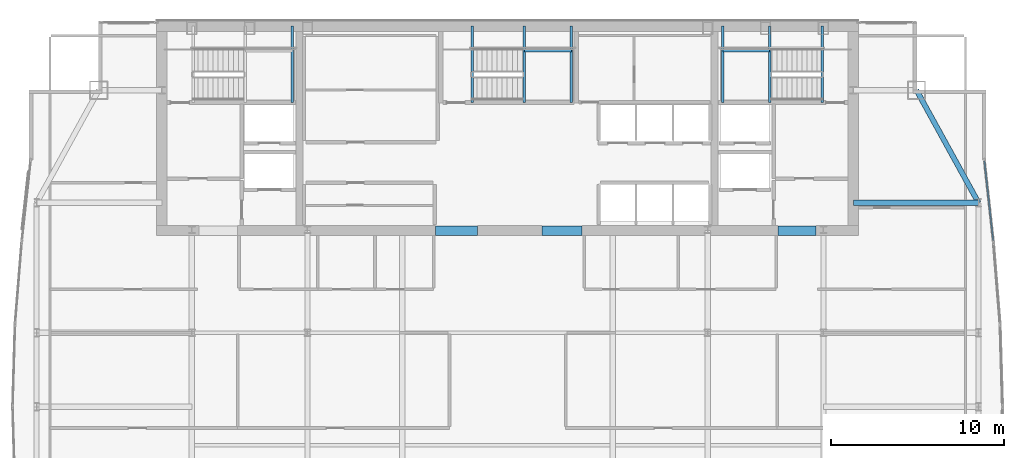
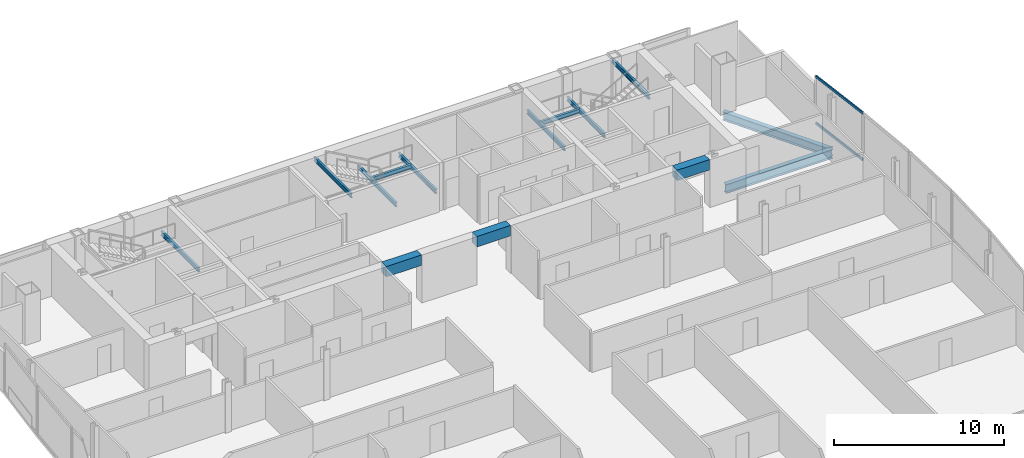
# One storey, part 21 of 29: 14 beams, 2 members, 1 element without a shape of its own.
"""IFC4 building model written with IfcOpenShell, lengths in metres."""

from ifc_helpers import new_model, si_unit, direction, frame, origin, origin_2d, place, context, subcontext, project, spatial, rectangle, hollow_rectangle, i_section, extrude, material, material_profile, profile_set, type_object, element, aggregate, save


model = new_model("IFC4")

# Units and contexts
model_context = context("Model", 3, precision=1e-05, world=origin(), true_north=direction((0.0, 1.0)))
body_context = subcontext(model_context, "Body", "Model", "MODEL_VIEW")
ifc_project = project(units=[si_unit("LENGTHUNIT", "METRE"), si_unit("AREAUNIT", "SQUARE_METRE"), si_unit("VOLUMEUNIT", "CUBIC_METRE"), si_unit("PLANEANGLEUNIT", "RADIAN"), si_unit("MASSUNIT", "GRAM", prefix="KILO")], contexts=[model_context])

# Site, building, storey
site_placement = place(None, origin())
site = spatial("IfcSite", under=ifc_project, at=site_placement, CompositionType="ELEMENT")
building_placement = place(site_placement, origin())
building = spatial("IfcBuilding", under=site, at=building_placement, Name="Khoronbel Lancet Exchange", CompositionType="ELEMENT")
storey_placement = place(building_placement, frame((0.0, 0.0, 242.60009765625)))
storey = spatial("IfcBuildingStorey", under=building, at=storey_placement, Name="L62", CompositionType="ELEMENT", Elevation=242.60009765625)

# Beams
ifc_material_1 = material(Name="Steel S355", Category="steel")
ifc_material_profile_1 = material_profile(ifc_material_1, i_section(OverallWidth=0.300048828125, OverallDepth=0.64990234375, WebThickness=0.01611328125, FlangeThickness=0.031005859375, at=origin_2d()), Name="HEB 650")
ifc_profile_set_1 = profile_set([ifc_material_profile_1], Name="Steel S355")
beam_type_1 = type_object("IfcBeamType", Name="BM-BG4", PredefinedType="BEAM", material=ifc_profile_set_1)
beam_1_placement = place(storey_placement, frame((56.39990234375, 43.199951171875, -0.485107421875), z_axis=(1.0, 0.0, 0.0), x_axis=(0.0, 1.0, 0.0)))
element("IfcBeam", 1, at=beam_1_placement, inside=storey, type_object=beam_type_1, Name="Level L62 east lens tie girder LG3E", PredefinedType="BEAM", context=body_context, shape_type="SweptSolid", body=[
    extrude(i_section(OverallWidth=0.300048828125, OverallDepth=0.64990234375, WebThickness=0.01611328125, FlangeThickness=0.031005859375, at=origin_2d()), origin(), (0.0, 0.0, 1.0), 7.22998046875),
])
ifc_material_profile_2 = material_profile(ifc_material_1, i_section(OverallWidth=0.14990234375, OverallDepth=0.300048828125, WebThickness=0.007080078125, FlangeThickness=0.0107421875, at=origin_2d()), Name="IPE 300")
ifc_profile_set_2 = profile_set([ifc_material_profile_2], Name="Steel S355")
beam_type_2 = type_object("IfcBeamType", Name="BM-BJ8", PredefinedType="JOIST", material=ifc_profile_set_2)
for number, where, z_axis, x_axis, name in (
    (2, (24.030029296875, 48.97998046875, 1.449951171875), (0.0, 1.0, 0.0), (-1.0, 0.0, 0.0), "Level L62 stair ST1 rear landing bearer beam 1"),
    (3, (51.580078125, 48.97998046875, 1.449951171875), (0.0, 1.0, 0.0), (-1.0, 0.0, 0.0), "Level L62 stair ST2 landing bearer beam 1"),
    (4, (48.8701171875, 48.97998046875, 1.449951171875), (0.0, 1.0, 0.0), (-1.0, 0.0, 0.0), "Level L62 stair ST2 rear landing bearer beam 1"),
):
    element("IfcBeam", number, at=place(storey_placement, frame(where, z_axis=z_axis, x_axis=x_axis)), inside=storey, type_object=beam_type_2, Name=name, PredefinedType="JOIST", context=body_context, shape_type="SweptSolid", body=[
        extrude(i_section(OverallWidth=0.14990234375, OverallDepth=0.300048828125, WebThickness=0.007080078125, FlangeThickness=0.0107421875, at=origin_2d()), origin(), (0.0, 0.0, 1.0), 4.419921875),
    ])
beam_2_placement = place(storey_placement, frame((48.8701171875, 51.97998046875, 1.449951171875), z_axis=(1.0, 0.0, 0.0), x_axis=(0.0, 1.0, 0.0)))
element("IfcBeam", 5, at=beam_2_placement, inside=storey, type_object=beam_type_2, Name="Level L62 stair ST2 landing cross trimmer beam 1", PredefinedType="JOIST", context=body_context, shape_type="SweptSolid", body=[
    extrude(i_section(OverallWidth=0.14990234375, OverallDepth=0.300048828125, WebThickness=0.007080078125, FlangeThickness=0.0107421875, at=origin_2d()), origin(), (0.0, 0.0, 1.0), 2.7099609375),
])
for number, where, z_axis, x_axis, name in (
    (6, (54.60009765625, 48.97998046875, 3.159912109375), (0.0, 1.0, 0.0), (-1.0, 0.0, 0.0), "Level L62 stair ST2 upper-flight arrival trimmer beam"),
    (7, (37.419921875, 48.97998046875, 1.449951171875), (0.0, 1.0, 0.0), (-1.0, 0.0, 0.0), "Level L62 stair ST3 landing bearer beam 1"),
    (8, (40.1298828125, 48.97998046875, 1.449951171875), (0.0, 1.0, 0.0), (-1.0, 0.0, 0.0), "Level L62 stair ST3 rear landing bearer beam 1"),
):
    element("IfcBeam", number, at=place(storey_placement, frame(where, z_axis=z_axis, x_axis=x_axis)), inside=storey, type_object=beam_type_2, Name=name, PredefinedType="JOIST", context=body_context, shape_type="SweptSolid", body=[
        extrude(i_section(OverallWidth=0.14990234375, OverallDepth=0.300048828125, WebThickness=0.007080078125, FlangeThickness=0.0107421875, at=origin_2d()), origin(), (0.0, 0.0, 1.0), 4.419921875),
    ])
beam_3_placement = place(storey_placement, frame((37.419921875, 51.97998046875, 1.449951171875), z_axis=(1.0, 0.0, 0.0), x_axis=(0.0, 1.0, 0.0)))
element("IfcBeam", 9, at=beam_3_placement, inside=storey, type_object=beam_type_2, Name="Level L62 stair ST3 landing cross trimmer beam 1", PredefinedType="JOIST", context=body_context, shape_type="SweptSolid", body=[
    extrude(i_section(OverallWidth=0.14990234375, OverallDepth=0.300048828125, WebThickness=0.007080078125, FlangeThickness=0.0107421875, at=origin_2d()), origin(), (0.0, 0.0, 1.0), 2.7099609375),
])
beam_4_placement = place(storey_placement, frame((34.39990234375, 48.97998046875, 3.159912109375), z_axis=(0.0, 1.0, 0.0), x_axis=(-1.0, 0.0, 0.0)))
element("IfcBeam", 10, at=beam_4_placement, inside=storey, type_object=beam_type_2, Name="Level L62 stair ST3 upper-flight arrival trimmer beam", PredefinedType="JOIST", context=body_context, shape_type="SweptSolid", body=[
    extrude(i_section(OverallWidth=0.14990234375, OverallDepth=0.300048828125, WebThickness=0.007080078125, FlangeThickness=0.0107421875, at=origin_2d()), origin(), (0.0, 0.0, 1.0), 4.419921875),
])
ifc_material_2 = material(Name="Concrete C60/75", Category="concrete")
ifc_material_profile_3 = material_profile(ifc_material_2, rectangle(XDim=0.550048828125, YDim=0.75, at=origin_2d()), Name="RC 550x750")
ifc_profile_set_3 = profile_set([ifc_material_profile_3], Name="Concrete C60/75")
beam_type_3 = type_object("IfcBeamType", Name="BM-BL2", PredefinedType="LINTEL", material=ifc_profile_set_3)
beam_5_placement = place(storey_placement, frame((32.300048828125, 41.60009765625, 3.06494140625), z_axis=(1.0, 0.0, 0.0), x_axis=(0.0, 1.0, 0.0)))
element("IfcBeam", 11, at=beam_5_placement, inside=storey, type_object=beam_type_3, Name="Level L62 rear core coupling lintel L2", PredefinedType="LINTEL", context=body_context, shape_type="SweptSolid", body=[
    extrude(rectangle(XDim=0.550048828125, YDim=0.75, at=origin_2d()), origin(), (0.0, 0.0, 1.0), 2.39990234375),
])
beam_6_placement = place(storey_placement, frame((38.449951171875, 41.60009765625, 3.06494140625), z_axis=(1.0, 0.0, 0.0), x_axis=(0.0, 1.0, 0.0)))
element("IfcBeam", 12, at=beam_6_placement, inside=storey, type_object=beam_type_3, Name="Level L62 rear core coupling lintel L3", PredefinedType="LINTEL", context=body_context, shape_type="SweptSolid", body=[
    extrude(rectangle(XDim=0.550048828125, YDim=0.75, at=origin_2d()), origin(), (0.0, 0.0, 1.0), 2.300048828125),
])
beam_7_placement = place(storey_placement, frame((52.050048828125, 41.60009765625, 3.06494140625), z_axis=(1.0, 0.0, 0.0), x_axis=(0.0, 1.0, 0.0)))
element("IfcBeam", 13, at=beam_7_placement, inside=storey, type_object=beam_type_3, Name="Level L62 rear core coupling lintel L4", PredefinedType="LINTEL", context=body_context, shape_type="SweptSolid", body=[
    extrude(rectangle(XDim=0.550048828125, YDim=0.75, at=origin_2d()), origin(), (0.0, 0.0, 1.0), 2.199951171875),
])
ifc_material_profile_4 = material_profile(ifc_material_1, i_section(OverallWidth=0.300048828125, OverallDepth=0.60009765625, WebThickness=0.015380859375, FlangeThickness=0.030029296875, at=origin_2d()), Name="HEB 600")
ifc_profile_set_4 = profile_set([ifc_material_profile_4], Name="Steel S355")
beam_type_4 = type_object("IfcBeamType", Name="BM-BSP2", PredefinedType="SPANDREL", material=ifc_profile_set_4)
beam_8_placement = place(storey_placement, frame((63.6298828125, 43.199951171875, -0.460205078125), z_axis=(-0.482418808117, 0.875940690672, 0.0), x_axis=(-0.875940690672, -0.482418808117, 0.0)))
element("IfcBeam", 14, at=beam_8_placement, inside=storey, type_object=beam_type_4, Name="Level L62 perimeter spandrel beam SP15", PredefinedType="SPANDREL", context=body_context, shape_type="SweptSolid", body=[
    extrude(i_section(OverallWidth=0.300048828125, OverallDepth=0.60009765625, WebThickness=0.015380859375, FlangeThickness=0.030029296875, at=origin_2d()), origin(), (0.0, 0.0, 1.0), 7.420654296875),
])

# Curtain wall, members
ifc_material_3 = material(Name="Low-E Solar Control Insulating Glass", Category="glass")
curtain_wall_type = type_object("IfcCurtainWallType", Name="CW-4", PredefinedType="NOTDEFINED", material=ifc_material_3)
curtain_wall_placement = place(storey_placement, origin())
curtain_wall = element("IfcCurtainWall", 15, at=curtain_wall_placement, inside=storey, type_object=curtain_wall_type, Name="Unitised curtain wall CW-L62-E17", PredefinedType="NOTDEFINED")
ifc_material_4 = material(Name="Bronze-Anodised Aluminium 6063-T6", Category="aluminium")
ifc_material_profile_5 = material_profile(ifc_material_4, hollow_rectangle(XDim=0.0849609375, YDim=0.179931640625, WallThickness=0.0048828125, at=origin_2d()), Name="ALU TRANSOM 85x180")
ifc_profile_set_5 = profile_set([ifc_material_profile_5], Name="Bronze-Anodised Aluminium 6063-T6")
member_type = type_object("IfcMemberType", Name="MEM-CWT1", PredefinedType="USERDEFINED", material=ifc_profile_set_5)
member_1_placement = place(storey_placement, frame((63.96826171875, 45.620361328125, 0.04248046875), z_axis=(0.109829937442, -0.993950393552, 0.0), x_axis=(0.993950393552, 0.109829937442, 0.0)))
member_1 = element("IfcMember", 16, at=member_1_placement, type_object=member_type, Name="CW4 transom 1.1", ObjectType="TRANSOM", PredefinedType="USERDEFINED", context=body_context, shape_type="SweptSolid", body=[
    extrude(hollow_rectangle(XDim=0.0849609375, YDim=0.179931640625, WallThickness=0.0048828125, at=origin_2d()), origin(), (0.0, 0.0, 1.0), 4.632568359375),
])
member_2_placement = place(storey_placement, frame((63.96826171875, 45.620361328125, 3.3974609375), z_axis=(0.109829937442, -0.993950393552, 0.0), x_axis=(0.993950393552, 0.109829937442, 0.0)))
member_2 = element("IfcMember", 17, at=member_2_placement, type_object=member_type, Name="CW4 transom 1.2", ObjectType="TRANSOM", PredefinedType="USERDEFINED", context=body_context, shape_type="SweptSolid", body=[
    extrude(hollow_rectangle(XDim=0.0849609375, YDim=0.179931640625, WallThickness=0.0048828125, at=origin_2d()), origin(), (0.0, 0.0, 1.0), 4.632568359375),
])
aggregate(curtain_wall, [member_1, member_2])

save(model, "model.ifc")
